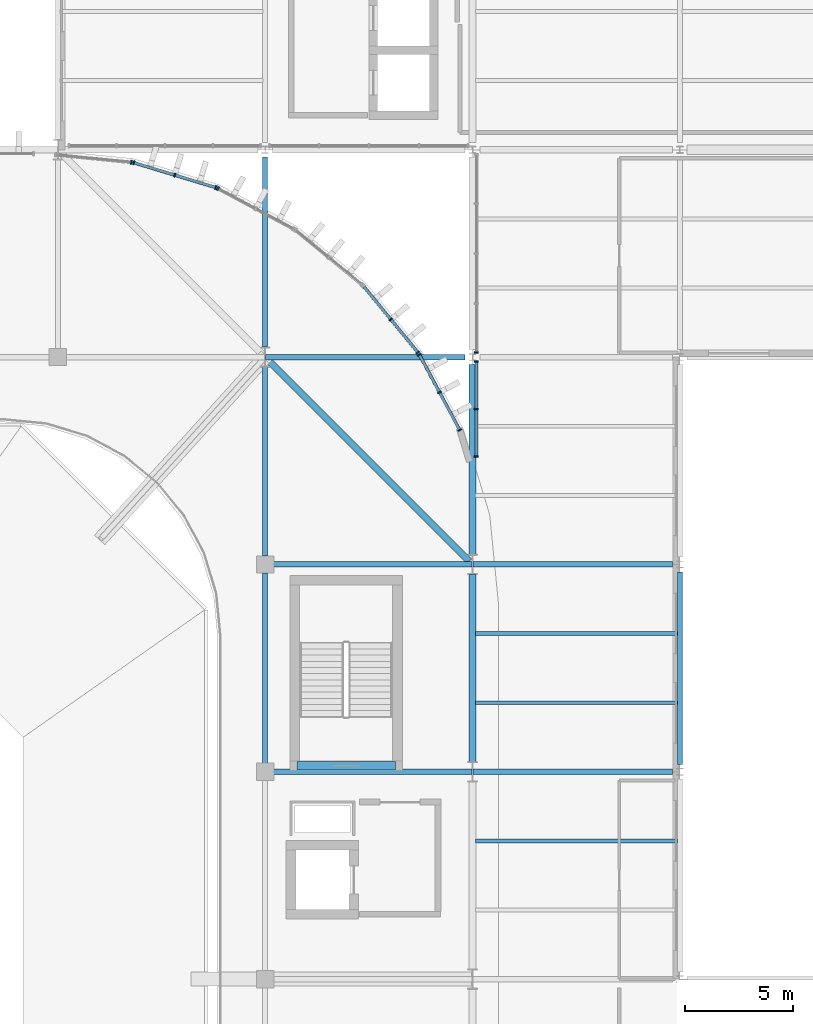
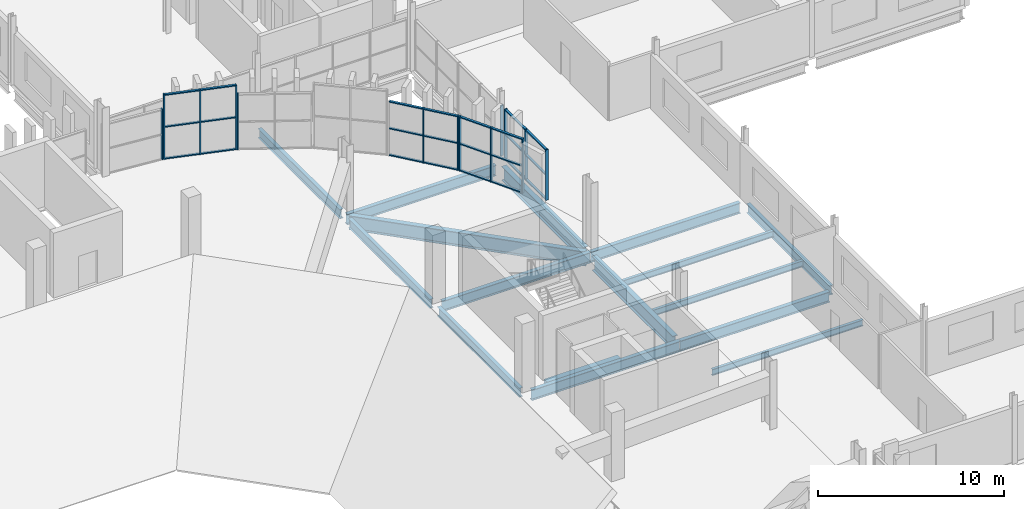
# One storey, part 30 of 69: 38 members, 16 beams, 7 elements without a shape of their own.
"""IFC4 building model written with IfcOpenShell, lengths in metres."""

from ifc_helpers import new_model, si_unit, direction, frame, origin, origin_2d, place, context, subcontext, project, spatial, rectangle, i_section, extrude, material, layer, layer_set, material_profile, profile_set, type_object, element, aggregate, save


model = new_model("IFC4")

# Units and contexts
model_context = context("Model", 3, precision=1e-05, world=origin(), true_north=direction((0.0, 1.0)))
body_context = subcontext(model_context, "Body", "Model", "MODEL_VIEW")
ifc_project = project(units=[si_unit("LENGTHUNIT", "METRE"), si_unit("AREAUNIT", "SQUARE_METRE"), si_unit("VOLUMEUNIT", "CUBIC_METRE"), si_unit("PLANEANGLEUNIT", "RADIAN"), si_unit("MASSUNIT", "GRAM", prefix="KILO")], contexts=[model_context])

# Site, building, storey
site_placement = place(None, origin())
site = spatial("IfcSite", under=ifc_project, at=site_placement, CompositionType="ELEMENT")
building_placement = place(site_placement, origin())
building = spatial("IfcBuilding", under=site, at=building_placement, Name="Caelomonte Colonnade Arena", CompositionType="ELEMENT")
storey_placement = place(building_placement, frame((0.0, 0.0, 18.60009765625)))
storey = spatial("IfcBuildingStorey", under=building, at=storey_placement, Name="L04", CompositionType="ELEMENT", Elevation=18.60009765625)

# Curtain wall, member
ifc_material_1 = material(Name="Bronze anodised aluminium and low-E glazing", Category="aluminium")
ifc_layer_1 = layer(ifc_material_1, 0.179931640625)
ifc_layer_set_1 = layer_set([ifc_layer_1], Name="Bronze anodised aluminium and low-E glazing")
curtain_wall_type_1 = type_object("IfcCurtainWallType", Name="ENV-CW-CW-L04-96-33", PredefinedType="USERDEFINED", material=ifc_layer_set_1)
curtain_wall_1_placement = place(storey_placement, origin())
curtain_wall_1 = element("IfcCurtainWall", 1, at=curtain_wall_1_placement, inside=storey, type_object=curtain_wall_type_1, Name="L04 unitized curtain wall CW-L04-1634-1104", ObjectType="UNITIZED CURTAIN WALL", PredefinedType="USERDEFINED")
ifc_material_2 = material(Name="Bronze anodised aluminium AA6063-T6", Category="aluminium")
ifc_material_profile_1 = material_profile(ifc_material_2, rectangle(XDim=0.070068359375, YDim=0.179931640625, at=origin_2d()), Name="CWM-70X180")
ifc_profile_set_1 = profile_set([ifc_material_profile_1], Name="Bronze anodised aluminium AA6063-T6")
member_type_1 = type_object("IfcMemberType", Name="ENV-CW-MULL1", PredefinedType="MULLION", material=ifc_profile_set_1)
member_1_placement = place(storey_placement, frame((163.3798828125, 105.808837890625, 0.0), z_axis=(0.0, 0.0, 1.0), x_axis=(0.0, -1.0, 0.0)))
member_1 = element("IfcMember", 2, at=member_1_placement, type_object=member_type_1, Name="CW-L04-96-33 mullion 5", PredefinedType="MULLION", context=body_context, shape_type="SweptSolid", body=[
    extrude(rectangle(XDim=0.070068359375, YDim=0.179931640625, at=origin_2d()), origin(), (0.0, 0.0, 1.0), 3.312744140625),
])
aggregate(curtain_wall_1, [member_1])

# Curtain wall, members
ifc_layer_2 = layer(ifc_material_1, 0.179931640625)
ifc_layer_set_2 = layer_set([ifc_layer_2], Name="Bronze anodised aluminium and low-E glazing")
curtain_wall_type_2 = type_object("IfcCurtainWallType", Name="ENV-CW-CW-L04-48-33", PredefinedType="USERDEFINED", material=ifc_layer_set_2)
curtain_wall_2_placement = place(storey_placement, origin())
curtain_wall_2 = element("IfcCurtainWall", 3, at=curtain_wall_2_placement, inside=storey, type_object=curtain_wall_type_2, Name="L04 unitized curtain wall CW-L04-1634-1032", ObjectType="UNITIZED CURTAIN WALL", PredefinedType="USERDEFINED")
member_2_placement = place(storey_placement, frame((163.3798828125, 105.39111328125, 0.0), z_axis=(0.0, 0.0, 1.0), x_axis=(0.0, -1.0, 0.0)))
member_2 = element("IfcMember", 4, at=member_2_placement, type_object=member_type_1, Name="CW-L04-48-33 mullion 1", PredefinedType="MULLION", context=body_context, shape_type="SweptSolid", body=[
    extrude(rectangle(XDim=0.070068359375, YDim=0.179931640625, at=origin_2d()), origin(), (0.0, 0.0, 1.0), 3.312744140625),
])
member_3_placement = place(storey_placement, frame((163.3798828125, 103.1953125, 0.0), z_axis=(0.0, 0.0, 1.0), x_axis=(0.0, -1.0, 0.0)))
member_3 = element("IfcMember", 5, at=member_3_placement, type_object=member_type_1, Name="CW-L04-48-33 mullion 2", PredefinedType="MULLION", context=body_context, shape_type="SweptSolid", body=[
    extrude(rectangle(XDim=0.070068359375, YDim=0.179931640625, at=origin_2d()), origin(), (0.0, 0.0, 1.0), 3.312744140625),
])
member_4_placement = place(storey_placement, frame((163.3798828125, 100.99951171875, 0.0), z_axis=(0.0, 0.0, 1.0), x_axis=(0.0, -1.0, 0.0)))
member_4 = element("IfcMember", 6, at=member_4_placement, type_object=member_type_1, Name="CW-L04-48-33 mullion 3", PredefinedType="MULLION", context=body_context, shape_type="SweptSolid", body=[
    extrude(rectangle(XDim=0.070068359375, YDim=0.179931640625, at=origin_2d()), origin(), (0.0, 0.0, 1.0), 3.312744140625),
])

ifc_layer_3 = layer(ifc_material_1, 0.179931640625)
ifc_layer_set_3 = layer_set([ifc_layer_3], Name="Bronze anodised aluminium and low-E glazing")
curtain_wall_type_3 = type_object("IfcCurtainWallType", Name="ENV-CW-CW-L04-44-36", PredefinedType="USERDEFINED", material=ifc_layer_set_3)
curtain_wall_3_placement = place(storey_placement, origin())
curtain_wall_3 = element("IfcCurtainWall", 7, at=curtain_wall_3_placement, inside=storey, type_object=curtain_wall_type_3, Name="L04 unitized curtain wall CW-L04-1617-1040", ObjectType="UNITIZED CURTAIN WALL", PredefinedType="USERDEFINED")
member_5_placement = place(storey_placement, frame((162.607421875, 102.2177734375, 0.0), z_axis=(0.0, 0.0, 1.0), x_axis=(-0.471394212466, 0.881922613642, 0.0)))
member_5 = element("IfcMember", 8, at=member_5_placement, type_object=member_type_1, Name="CW-L04-44-36 mullion 1", PredefinedType="MULLION", context=body_context, shape_type="SweptSolid", body=[
    extrude(rectangle(XDim=0.070068359375, YDim=0.179931640625, at=origin_2d()), origin(), (0.0, 0.0, 1.0), 3.561767578125),
])
member_6_placement = place(storey_placement, frame((161.67236328125, 103.966796875, 0.0), z_axis=(0.0, 0.0, 1.0), x_axis=(-0.471394212466, 0.881922613642, 0.0)))
member_6 = element("IfcMember", 9, at=member_6_placement, type_object=member_type_1, Name="CW-L04-44-36 mullion 2", PredefinedType="MULLION", context=body_context, shape_type="SweptSolid", body=[
    extrude(rectangle(XDim=0.070068359375, YDim=0.179931640625, at=origin_2d()), origin(), (0.0, 0.0, 1.0), 3.561767578125),
])
member_7_placement = place(storey_placement, frame((160.737548828125, 105.716064453125, 0.0), z_axis=(0.0, 0.0, 1.0), x_axis=(-0.471394212466, 0.881922613642, 0.0)))
member_7 = element("IfcMember", 10, at=member_7_placement, type_object=member_type_1, Name="CW-L04-44-36 mullion 3", PredefinedType="MULLION", context=body_context, shape_type="SweptSolid", body=[
    extrude(rectangle(XDim=0.070068359375, YDim=0.179931640625, at=origin_2d()), origin(), (0.0, 0.0, 1.0), 3.561767578125),
])

curtain_wall_4_placement = place(storey_placement, origin())
curtain_wall_4 = element("IfcCurtainWall", 11, at=curtain_wall_4_placement, inside=storey, type_object=curtain_wall_type_3, Name="L04 unitized curtain wall CW-L04-1594-1073", ObjectType="UNITIZED CURTAIN WALL", PredefinedType="USERDEFINED")
member_8_placement = place(storey_placement, frame((160.67431640625, 105.810791015625, 0.0), z_axis=(0.0, 0.0, 1.0), x_axis=(-0.634416071163, 0.772991751994, 0.0)))
member_8 = element("IfcMember", 12, at=member_8_placement, type_object=member_type_1, Name="CW-L04-44-36 mullion 1", PredefinedType="MULLION", context=body_context, shape_type="SweptSolid", body=[
    extrude(rectangle(XDim=0.070068359375, YDim=0.179931640625, at=origin_2d()), origin(), (0.0, 0.0, 1.0), 3.561767578125),
])
member_9_placement = place(storey_placement, frame((159.416015625, 107.343994140625, 0.0), z_axis=(0.0, 0.0, 1.0), x_axis=(-0.634416071163, 0.772991751994, 0.0)))
member_9 = element("IfcMember", 13, at=member_9_placement, type_object=member_type_1, Name="CW-L04-44-36 mullion 2", PredefinedType="MULLION", context=body_context, shape_type="SweptSolid", body=[
    extrude(rectangle(XDim=0.070068359375, YDim=0.179931640625, at=origin_2d()), origin(), (0.0, 0.0, 1.0), 3.561767578125),
])

# Curtain wall, member
curtain_wall_5_placement = place(storey_placement, origin())
curtain_wall_5 = element("IfcCurtainWall", 14, at=curtain_wall_5_placement, inside=storey, type_object=curtain_wall_type_3, Name="L04 unitized curtain wall CW-L04-1532-1125", ObjectType="UNITIZED CURTAIN WALL", PredefinedType="USERDEFINED")
member_10_placement = place(storey_placement, frame((151.417724609375, 113.407470703125, 0.0), z_axis=(0.0, 0.0, 1.0), x_axis=(-0.881922613642, 0.471394212466, 0.0)))
member_10 = element("IfcMember", 15, at=member_10_placement, type_object=member_type_1, Name="CW-L04-44-36 mullion 3", PredefinedType="MULLION", context=body_context, shape_type="SweptSolid", body=[
    extrude(rectangle(XDim=0.070068359375, YDim=0.179931640625, at=origin_2d()), origin(), (0.0, 0.0, 1.0), 3.637939453125),
])
aggregate(curtain_wall_5, [member_10])

# Curtain wall, members
ifc_layer_4 = layer(ifc_material_1, 0.179931640625)
ifc_layer_set_4 = layer_set([ifc_layer_4], Name="Bronze anodised aluminium and low-E glazing")
curtain_wall_type_4 = type_object("IfcCurtainWallType", Name="ENV-CW-CW-L04-44-42", PredefinedType="USERDEFINED", material=ifc_layer_set_4)
curtain_wall_6_placement = place(storey_placement, origin())
curtain_wall_6 = element("IfcCurtainWall", 16, at=curtain_wall_6_placement, inside=storey, type_object=curtain_wall_type_4, Name="L04 unitized curtain wall CW-L04-1494-1140", ObjectType="UNITIZED CURTAIN WALL", PredefinedType="USERDEFINED")
member_11_placement = place(storey_placement, frame((151.3125, 113.451171875, 0.0), z_axis=(0.0, 0.0, 1.0), x_axis=(-0.956949160999, 0.290255582655, 0.0)))
member_11 = element("IfcMember", 17, at=member_11_placement, type_object=member_type_1, Name="CW-L04-44-42 mullion 1", PredefinedType="MULLION", context=body_context, shape_type="SweptSolid", body=[
    extrude(rectangle(XDim=0.070068359375, YDim=0.179931640625, at=origin_2d()), origin(), (0.0, 0.0, 1.0), 4.239990234375),
])
member_12_placement = place(storey_placement, frame((149.414306640625, 114.02685546875, 0.0), z_axis=(0.0, 0.0, 1.0), x_axis=(-0.956949160999, 0.290255582655, 0.0)))
member_12 = element("IfcMember", 18, at=member_12_placement, type_object=member_type_1, Name="CW-L04-44-42 mullion 2", PredefinedType="MULLION", context=body_context, shape_type="SweptSolid", body=[
    extrude(rectangle(XDim=0.070068359375, YDim=0.179931640625, at=origin_2d()), origin(), (0.0, 0.0, 1.0), 4.239990234375),
])
member_13_placement = place(storey_placement, frame((147.516357421875, 114.6025390625, 0.0), z_axis=(0.0, 0.0, 1.0), x_axis=(-0.956949160999, 0.290255582655, 0.0)))
member_13 = element("IfcMember", 19, at=member_13_placement, type_object=member_type_1, Name="CW-L04-44-42 mullion 3", PredefinedType="MULLION", context=body_context, shape_type="SweptSolid", body=[
    extrude(rectangle(XDim=0.070068359375, YDim=0.179931640625, at=origin_2d()), origin(), (0.0, 0.0, 1.0), 4.239990234375),
])

# Curtain wall, member
ifc_layer_5 = layer(ifc_material_1, 0.179931640625)
ifc_layer_set_5 = layer_set([ifc_layer_5], Name="Bronze anodised aluminium and low-E glazing")
curtain_wall_type_5 = type_object("IfcCurtainWallType", Name="ENV-CW-CW-L04-42-33", PredefinedType="USERDEFINED", material=ifc_layer_set_5)
curtain_wall_7_placement = place(storey_placement, origin())
curtain_wall_7 = element("IfcCurtainWall", 20, at=curtain_wall_7_placement, inside=storey, type_object=curtain_wall_type_5, Name="L04 unitized curtain wall CW-L04-1455-1148", ObjectType="UNITIZED CURTAIN WALL", PredefinedType="USERDEFINED")
member_14_placement = place(storey_placement, frame((147.404541015625, 114.624755859375, 0.0), z_axis=(0.0, 0.0, 1.0), x_axis=(-0.995184334909, 0.098021117887, 0.0)))
member_14 = element("IfcMember", 21, at=member_14_placement, type_object=member_type_1, Name="CW-L04-42-33 mullion 1", PredefinedType="MULLION", context=body_context, shape_type="SweptSolid", body=[
    extrude(rectangle(XDim=0.070068359375, YDim=0.179931640625, at=origin_2d()), origin(), (0.0, 0.0, 1.0), 3.312744140625),
])
aggregate(curtain_wall_7, [member_14])

# Member
ifc_material_profile_2 = material_profile(ifc_material_2, rectangle(XDim=0.070068359375, YDim=0.139892578125, at=origin_2d()), Name="CWT-70X140")
ifc_profile_set_2 = profile_set([ifc_material_profile_2], Name="Bronze anodised aluminium AA6063-T6")
member_type_2 = type_object("IfcMemberType", Name="ENV-CW-TRAN1", PredefinedType="USERDEFINED", material=ifc_profile_set_2)
member_15_placement = place(storey_placement, frame((163.3798828125, 105.356201171875, 0.034912109375), z_axis=(0.0, -1.0, 0.0), x_axis=(0.0, 0.0, 1.0)))
member_15 = element("IfcMember", 22, at=member_15_placement, type_object=member_type_2, Name="CW-L04-48-33 transom 1.1", ObjectType="TRANSOM", PredefinedType="USERDEFINED", context=body_context, shape_type="SweptSolid", body=[
    extrude(rectangle(XDim=0.070068359375, YDim=0.139892578125, at=origin_2d()), origin(), (0.0, 0.0, 1.0), 2.1259765625),
])

member_16_placement = place(storey_placement, frame((163.3798828125, 105.356201171875, 1.65625), z_axis=(0.0, -1.0, 0.0), x_axis=(0.0, 0.0, 1.0)))
member_16 = element("IfcMember", 23, at=member_16_placement, type_object=member_type_2, Name="CW-L04-48-33 transom 1.2", ObjectType="TRANSOM", PredefinedType="USERDEFINED", context=body_context, shape_type="SweptSolid", body=[
    extrude(rectangle(XDim=0.070068359375, YDim=0.139892578125, at=origin_2d()), origin(), (0.0, 0.0, 1.0), 2.1259765625),
])

member_17_placement = place(storey_placement, frame((163.3798828125, 105.356201171875, 3.277587890625), z_axis=(0.0, -1.0, 0.0), x_axis=(0.0, 0.0, 1.0)))
member_17 = element("IfcMember", 24, at=member_17_placement, type_object=member_type_2, Name="CW-L04-48-33 transom 1.3", ObjectType="TRANSOM", PredefinedType="USERDEFINED", context=body_context, shape_type="SweptSolid", body=[
    extrude(rectangle(XDim=0.070068359375, YDim=0.139892578125, at=origin_2d()), origin(), (0.0, 0.0, 1.0), 2.1259765625),
])

member_18_placement = place(storey_placement, frame((163.3798828125, 103.160400390625, 0.034912109375), z_axis=(0.0, -1.0, 0.0), x_axis=(0.0, 0.0, 1.0)))
member_18 = element("IfcMember", 25, at=member_18_placement, type_object=member_type_2, Name="CW-L04-48-33 transom 2.1", ObjectType="TRANSOM", PredefinedType="USERDEFINED", context=body_context, shape_type="SweptSolid", body=[
    extrude(rectangle(XDim=0.070068359375, YDim=0.139892578125, at=origin_2d()), origin(), (0.0, 0.0, 1.0), 2.1259765625),
])

member_19_placement = place(storey_placement, frame((163.3798828125, 103.160400390625, 1.65625), z_axis=(0.0, -1.0, 0.0), x_axis=(0.0, 0.0, 1.0)))
member_19 = element("IfcMember", 26, at=member_19_placement, type_object=member_type_2, Name="CW-L04-48-33 transom 2.2", ObjectType="TRANSOM", PredefinedType="USERDEFINED", context=body_context, shape_type="SweptSolid", body=[
    extrude(rectangle(XDim=0.070068359375, YDim=0.139892578125, at=origin_2d()), origin(), (0.0, 0.0, 1.0), 2.1259765625),
])

member_20_placement = place(storey_placement, frame((163.3798828125, 103.160400390625, 3.277587890625), z_axis=(0.0, -1.0, 0.0), x_axis=(0.0, 0.0, 1.0)))
member_20 = element("IfcMember", 27, at=member_20_placement, type_object=member_type_2, Name="CW-L04-48-33 transom 2.3", ObjectType="TRANSOM", PredefinedType="USERDEFINED", context=body_context, shape_type="SweptSolid", body=[
    extrude(rectangle(XDim=0.070068359375, YDim=0.139892578125, at=origin_2d()), origin(), (0.0, 0.0, 1.0), 2.1259765625),
])

aggregate(curtain_wall_2, [member_2, member_3, member_4, member_15, member_16, member_17, member_18, member_19, member_20])

member_21_placement = place(storey_placement, frame((162.5908203125, 102.24853515625, 0.034912109375), z_axis=(-0.471343048304, 0.88194995936, 0.0), x_axis=(0.0, 0.0, 1.0)))
member_21 = element("IfcMember", 28, at=member_21_placement, type_object=member_type_2, Name="CW-L04-44-36 transom 1.1", ObjectType="TRANSOM", PredefinedType="USERDEFINED", context=body_context, shape_type="SweptSolid", body=[
    extrude(rectangle(XDim=0.070068359375, YDim=0.139892578125, at=origin_2d()), origin(), (0.0, 0.0, 1.0), 1.913330078125),
])

member_22_placement = place(storey_placement, frame((162.5908203125, 102.24853515625, 1.78076171875), z_axis=(-0.471343048304, 0.88194995936, 0.0), x_axis=(0.0, 0.0, 1.0)))
member_22 = element("IfcMember", 29, at=member_22_placement, type_object=member_type_2, Name="CW-L04-44-36 transom 1.2", ObjectType="TRANSOM", PredefinedType="USERDEFINED", context=body_context, shape_type="SweptSolid", body=[
    extrude(rectangle(XDim=0.070068359375, YDim=0.139892578125, at=origin_2d()), origin(), (0.0, 0.0, 1.0), 1.913330078125),
])

member_23_placement = place(storey_placement, frame((162.5908203125, 102.24853515625, 3.526611328125), z_axis=(-0.471343048304, 0.88194995936, 0.0), x_axis=(0.0, 0.0, 1.0)))
member_23 = element("IfcMember", 30, at=member_23_placement, type_object=member_type_2, Name="CW-L04-44-36 transom 1.3", ObjectType="TRANSOM", PredefinedType="USERDEFINED", context=body_context, shape_type="SweptSolid", body=[
    extrude(rectangle(XDim=0.070068359375, YDim=0.139892578125, at=origin_2d()), origin(), (0.0, 0.0, 1.0), 1.913330078125),
])

member_24_placement = place(storey_placement, frame((161.656005859375, 103.997802734375, 0.034912109375), z_axis=(-0.47149534087, 0.881868552301, 0.0), x_axis=(0.0, 0.0, 1.0)))
member_24 = element("IfcMember", 31, at=member_24_placement, type_object=member_type_2, Name="CW-L04-44-36 transom 2.1", ObjectType="TRANSOM", PredefinedType="USERDEFINED", context=body_context, shape_type="SweptSolid", body=[
    extrude(rectangle(XDim=0.070068359375, YDim=0.139892578125, at=origin_2d()), origin(), (0.0, 0.0, 1.0), 1.913330078125),
])

member_25_placement = place(storey_placement, frame((161.656005859375, 103.997802734375, 1.78076171875), z_axis=(-0.47149534087, 0.881868552301, 0.0), x_axis=(0.0, 0.0, 1.0)))
member_25 = element("IfcMember", 32, at=member_25_placement, type_object=member_type_2, Name="CW-L04-44-36 transom 2.2", ObjectType="TRANSOM", PredefinedType="USERDEFINED", context=body_context, shape_type="SweptSolid", body=[
    extrude(rectangle(XDim=0.070068359375, YDim=0.139892578125, at=origin_2d()), origin(), (0.0, 0.0, 1.0), 1.913330078125),
])

member_26_placement = place(storey_placement, frame((161.656005859375, 103.997802734375, 3.526611328125), z_axis=(-0.47149534087, 0.881868552301, 0.0), x_axis=(0.0, 0.0, 1.0)))
member_26 = element("IfcMember", 33, at=member_26_placement, type_object=member_type_2, Name="CW-L04-44-36 transom 2.3", ObjectType="TRANSOM", PredefinedType="USERDEFINED", context=body_context, shape_type="SweptSolid", body=[
    extrude(rectangle(XDim=0.070068359375, YDim=0.139892578125, at=origin_2d()), origin(), (0.0, 0.0, 1.0), 1.913330078125),
])

aggregate(curtain_wall_3, [member_5, member_6, member_7, member_21, member_22, member_23, member_24, member_25, member_26])

member_27_placement = place(storey_placement, frame((160.652099609375, 105.837890625, 0.034912109375), z_axis=(-0.634494516049, 0.772927363407, 0.0), x_axis=(0.0, 0.0, 1.0)))
member_27 = element("IfcMember", 34, at=member_27_placement, type_object=member_type_2, Name="CW-L04-44-36 transom 1.1", ObjectType="TRANSOM", PredefinedType="USERDEFINED", context=body_context, shape_type="SweptSolid", body=[
    extrude(rectangle(XDim=0.070068359375, YDim=0.139892578125, at=origin_2d()), origin(), (0.0, 0.0, 1.0), 1.91357421875),
])

member_28_placement = place(storey_placement, frame((160.652099609375, 105.837890625, 1.78076171875), z_axis=(-0.634494516049, 0.772927363407, 0.0), x_axis=(0.0, 0.0, 1.0)))
member_28 = element("IfcMember", 35, at=member_28_placement, type_object=member_type_2, Name="CW-L04-44-36 transom 1.2", ObjectType="TRANSOM", PredefinedType="USERDEFINED", context=body_context, shape_type="SweptSolid", body=[
    extrude(rectangle(XDim=0.070068359375, YDim=0.139892578125, at=origin_2d()), origin(), (0.0, 0.0, 1.0), 1.91357421875),
])

member_29_placement = place(storey_placement, frame((160.652099609375, 105.837890625, 3.526611328125), z_axis=(-0.634494516049, 0.772927363407, 0.0), x_axis=(0.0, 0.0, 1.0)))
member_29 = element("IfcMember", 36, at=member_29_placement, type_object=member_type_2, Name="CW-L04-44-36 transom 1.3", ObjectType="TRANSOM", PredefinedType="USERDEFINED", context=body_context, shape_type="SweptSolid", body=[
    extrude(rectangle(XDim=0.070068359375, YDim=0.139892578125, at=origin_2d()), origin(), (0.0, 0.0, 1.0), 1.91357421875),
])

member_30_placement = place(storey_placement, frame((159.393798828125, 107.370849609375, 0.034912109375), z_axis=(-0.634431948726, 0.772978720558, 0.0), x_axis=(0.0, 0.0, 1.0)))
member_30 = element("IfcMember", 37, at=member_30_placement, type_object=member_type_2, Name="CW-L04-44-36 transom 2.1", ObjectType="TRANSOM", PredefinedType="USERDEFINED", context=body_context, shape_type="SweptSolid", body=[
    extrude(rectangle(XDim=0.070068359375, YDim=0.139892578125, at=origin_2d()), origin(), (0.0, 0.0, 1.0), 1.913818359375),
])

member_31_placement = place(storey_placement, frame((159.393798828125, 107.370849609375, 1.78076171875), z_axis=(-0.634431948726, 0.772978720558, 0.0), x_axis=(0.0, 0.0, 1.0)))
member_31 = element("IfcMember", 38, at=member_31_placement, type_object=member_type_2, Name="CW-L04-44-36 transom 2.2", ObjectType="TRANSOM", PredefinedType="USERDEFINED", context=body_context, shape_type="SweptSolid", body=[
    extrude(rectangle(XDim=0.070068359375, YDim=0.139892578125, at=origin_2d()), origin(), (0.0, 0.0, 1.0), 1.913818359375),
])

member_32_placement = place(storey_placement, frame((159.393798828125, 107.370849609375, 3.526611328125), z_axis=(-0.634431948726, 0.772978720558, 0.0), x_axis=(0.0, 0.0, 1.0)))
member_32 = element("IfcMember", 39, at=member_32_placement, type_object=member_type_2, Name="CW-L04-44-36 transom 2.3", ObjectType="TRANSOM", PredefinedType="USERDEFINED", context=body_context, shape_type="SweptSolid", body=[
    extrude(rectangle(XDim=0.070068359375, YDim=0.139892578125, at=origin_2d()), origin(), (0.0, 0.0, 1.0), 1.913818359375),
])

aggregate(curtain_wall_4, [member_8, member_9, member_27, member_28, member_29, member_30, member_31, member_32])

member_33_placement = place(storey_placement, frame((151.27880859375, 113.461181640625, 0.034912109375), z_axis=(-0.956933131783, 0.290308424431, 0.0), x_axis=(0.0, 0.0, 1.0)))
member_33 = element("IfcMember", 40, at=member_33_placement, type_object=member_type_2, Name="CW-L04-44-42 transom 1.1", ObjectType="TRANSOM", PredefinedType="USERDEFINED", context=body_context, shape_type="SweptSolid", body=[
    extrude(rectangle(XDim=0.070068359375, YDim=0.139892578125, at=origin_2d()), origin(), (0.0, 0.0, 1.0), 1.9130859375),
])

member_34_placement = place(storey_placement, frame((151.27880859375, 113.461181640625, 2.119873046875), z_axis=(-0.956933131783, 0.290308424431, 0.0), x_axis=(0.0, 0.0, 1.0)))
member_34 = element("IfcMember", 41, at=member_34_placement, type_object=member_type_2, Name="CW-L04-44-42 transom 1.2", ObjectType="TRANSOM", PredefinedType="USERDEFINED", context=body_context, shape_type="SweptSolid", body=[
    extrude(rectangle(XDim=0.070068359375, YDim=0.139892578125, at=origin_2d()), origin(), (0.0, 0.0, 1.0), 1.9130859375),
])

member_35_placement = place(storey_placement, frame((151.27880859375, 113.461181640625, 4.204833984375), z_axis=(-0.956933131783, 0.290308424431, 0.0), x_axis=(0.0, 0.0, 1.0)))
member_35 = element("IfcMember", 42, at=member_35_placement, type_object=member_type_2, Name="CW-L04-44-42 transom 1.3", ObjectType="TRANSOM", PredefinedType="USERDEFINED", context=body_context, shape_type="SweptSolid", body=[
    extrude(rectangle(XDim=0.070068359375, YDim=0.139892578125, at=origin_2d()), origin(), (0.0, 0.0, 1.0), 1.9130859375),
])

member_36_placement = place(storey_placement, frame((149.380859375, 114.036865234375, 0.034912109375), z_axis=(-0.956943884494, 0.290272978297, 0.0), x_axis=(0.0, 0.0, 1.0)))
member_36 = element("IfcMember", 43, at=member_36_placement, type_object=member_type_2, Name="CW-L04-44-42 transom 2.1", ObjectType="TRANSOM", PredefinedType="USERDEFINED", context=body_context, shape_type="SweptSolid", body=[
    extrude(rectangle(XDim=0.070068359375, YDim=0.139892578125, at=origin_2d()), origin(), (0.0, 0.0, 1.0), 1.913330078125),
])

member_37_placement = place(storey_placement, frame((149.380859375, 114.036865234375, 2.119873046875), z_axis=(-0.956943884494, 0.290272978297, 0.0), x_axis=(0.0, 0.0, 1.0)))
member_37 = element("IfcMember", 44, at=member_37_placement, type_object=member_type_2, Name="CW-L04-44-42 transom 2.2", ObjectType="TRANSOM", PredefinedType="USERDEFINED", context=body_context, shape_type="SweptSolid", body=[
    extrude(rectangle(XDim=0.070068359375, YDim=0.139892578125, at=origin_2d()), origin(), (0.0, 0.0, 1.0), 1.913330078125),
])

member_38_placement = place(storey_placement, frame((149.380859375, 114.036865234375, 4.204833984375), z_axis=(-0.956943884494, 0.290272978297, 0.0), x_axis=(0.0, 0.0, 1.0)))
member_38 = element("IfcMember", 45, at=member_38_placement, type_object=member_type_2, Name="CW-L04-44-42 transom 2.3", ObjectType="TRANSOM", PredefinedType="USERDEFINED", context=body_context, shape_type="SweptSolid", body=[
    extrude(rectangle(XDim=0.070068359375, YDim=0.139892578125, at=origin_2d()), origin(), (0.0, 0.0, 1.0), 1.913330078125),
])

aggregate(curtain_wall_6, [member_11, member_12, member_13, member_33, member_34, member_35, member_36, member_37, member_38])

# Beams
ifc_material_3 = material(Name="Wide-flange steel ASTM A992 Grade 50", Category="steel")
ifc_material_profile_3 = material_profile(ifc_material_3, i_section(OverallWidth=0.307861328125, OverallDepth=0.927001953125, WebThickness=0.019287109375, FlangeThickness=0.031982421875, FilletRadius=0.020263671875, at=origin_2d()), Name="W36X194")
ifc_profile_set_3 = profile_set([ifc_material_profile_3], Name="Wide-flange steel ASTM A992 Grade 50")
beam_type_1 = type_object("IfcBeamType", Name="STR-BM-EAVES2", PredefinedType="SPANDREL", material=ifc_profile_set_3)
beam_1_placement = place(storey_placement, frame((163.199951171875, 86.86572265625, -0.7236328125), z_axis=(0.0, 1.0, 0.0), x_axis=(-1.0, 0.0, 0.0)))
element("IfcBeam", 46, at=beam_1_placement, inside=storey, type_object=beam_type_1, Name="L04 girder BMY-L04-1632-0864", PredefinedType="SPANDREL", context=body_context, shape_type="SweptSolid", body=[
    extrude(i_section(OverallWidth=0.307861328125, OverallDepth=0.927001953125, WebThickness=0.019287109375, FlangeThickness=0.031982421875, FilletRadius=0.020263671875, at=origin_2d()), origin(), (0.0, 0.0, 1.0), 8.66845703125),
])
beam_2_placement = place(storey_placement, frame((163.199951171875, 96.4658203125, -0.7236328125), z_axis=(0.0, 1.0, 0.0), x_axis=(-1.0, 0.0, 0.0)))
element("IfcBeam", 47, at=beam_2_placement, inside=storey, type_object=beam_type_1, Name="L04 girder BMY-L04-1632-0960", PredefinedType="SPANDREL", context=body_context, shape_type="SweptSolid", body=[
    extrude(i_section(OverallWidth=0.307861328125, OverallDepth=0.927001953125, WebThickness=0.019287109375, FlangeThickness=0.031982421875, FilletRadius=0.020263671875, at=origin_2d()), origin(), (0.0, 0.0, 1.0), 8.792236328125),
])
beam_3_placement = place(storey_placement, frame((163.055908203125, 96.14404296875, -0.7236328125), z_axis=(-0.707106781187, 0.707106781187, 0.0), x_axis=(-0.707106781187, -0.707106781187, 0.0)))
element("IfcBeam", 48, at=beam_3_placement, inside=storey, type_object=beam_type_1, Name="L04 drum corner ring girder 5", PredefinedType="SPANDREL", context=body_context, shape_type="SweptSolid", body=[
    extrude(i_section(OverallWidth=0.307861328125, OverallDepth=0.927001953125, WebThickness=0.019287109375, FlangeThickness=0.031982421875, FilletRadius=0.020263671875, at=origin_2d()), origin(), (0.0, 0.0, 1.0), 13.169189453125),
])
ifc_material_profile_4 = material_profile(ifc_material_3, i_section(OverallWidth=0.227783203125, OverallDepth=0.60205078125, WebThickness=0.010498046875, FlangeThickness=0.014892578125, FilletRadius=0.0126953125, at=origin_2d()), Name="W24X68")
ifc_profile_set_4 = profile_set([ifc_material_profile_4], Name="Wide-flange steel ASTM A992 Grade 50")
beam_type_2 = type_object("IfcBeamType", Name="STR-BM-GIRD24B", PredefinedType="SPANDREL", material=ifc_profile_set_4)
beam_4_placement = place(storey_placement, frame((153.60009765625, 86.7919921875, -0.56103515625), z_axis=(0.0, 1.0, 0.0), x_axis=(-1.0, 0.0, 0.0)))
element("IfcBeam", 49, at=beam_4_placement, inside=storey, type_object=beam_type_2, Name="L04 girder BMY-L04-1536-0864", PredefinedType="SPANDREL", context=body_context, shape_type="SweptSolid", body=[
    extrude(i_section(OverallWidth=0.227783203125, OverallDepth=0.60205078125, WebThickness=0.010498046875, FlangeThickness=0.014892578125, FilletRadius=0.0126953125, at=origin_2d()), origin(), (0.0, 0.0, 1.0), 8.81591796875),
])
beam_5_placement = place(storey_placement, frame((153.60009765625, 96.39208984375, -0.56103515625), z_axis=(0.0, 1.0, 0.0), x_axis=(-1.0, 0.0, 0.0)))
element("IfcBeam", 50, at=beam_5_placement, inside=storey, type_object=beam_type_2, Name="L04 girder BMY-L04-1536-0960", PredefinedType="SPANDREL", context=body_context, shape_type="SweptSolid", body=[
    extrude(i_section(OverallWidth=0.227783203125, OverallDepth=0.60205078125, WebThickness=0.010498046875, FlangeThickness=0.014892578125, FilletRadius=0.0126953125, at=origin_2d()), origin(), (0.0, 0.0, 1.0), 8.7421875),
])
beam_6_placement = place(storey_placement, frame((153.60009765625, 106.065673828125, -0.56103515625), z_axis=(0.0, 1.0, 0.0), x_axis=(-1.0, 0.0, 0.0)))
element("IfcBeam", 51, at=beam_6_placement, inside=storey, type_object=beam_type_2, Name="L04 girder BMY-L04-1536-1056", PredefinedType="SPANDREL", context=body_context, shape_type="SweptSolid", body=[
    extrude(i_section(OverallWidth=0.227783203125, OverallDepth=0.60205078125, WebThickness=0.010498046875, FlangeThickness=0.014892578125, FilletRadius=0.0126953125, at=origin_2d()), origin(), (0.0, 0.0, 1.0), 8.792236328125),
])
beam_7_placement = place(storey_placement, frame((172.800048828125, 86.741943359375, -0.56103515625), z_axis=(0.0, 1.0, 0.0), x_axis=(-1.0, 0.0, 0.0)))
element("IfcBeam", 52, at=beam_7_placement, inside=storey, type_object=beam_type_2, Name="L04 girder BMY-L04-1728-0864", PredefinedType="SPANDREL", context=body_context, shape_type="SweptSolid", body=[
    extrude(i_section(OverallWidth=0.227783203125, OverallDepth=0.60205078125, WebThickness=0.010498046875, FlangeThickness=0.014892578125, FilletRadius=0.0126953125, at=origin_2d()), origin(), (0.0, 0.0, 1.0), 8.916015625),
])
ifc_material_profile_5 = material_profile(ifc_material_3, i_section(OverallWidth=0.253662109375, OverallDepth=0.683349609375, WebThickness=0.012451171875, FlangeThickness=0.018798828125, FilletRadius=0.01513671875, at=origin_2d()), Name="W27X94")
ifc_profile_set_5 = profile_set([ifc_material_profile_5], Name="Wide-flange steel ASTM A992 Grade 50")
beam_type_3 = type_object("IfcBeamType", Name="STR-BM-GIRD27", PredefinedType="BEAM", material=ifc_profile_set_5)
beam_8_placement = place(storey_placement, frame((153.991943359375, 86.39990234375, -0.601806640625), z_axis=(1.0, 0.0, 0.0), x_axis=(0.0, 1.0, 0.0)))
element("IfcBeam", 53, at=beam_8_placement, inside=storey, type_object=beam_type_3, Name="L04 girder BMX-L04-1536-0864", PredefinedType="BEAM", context=body_context, shape_type="SweptSolid", body=[
    extrude(i_section(OverallWidth=0.253662109375, OverallDepth=0.683349609375, WebThickness=0.012451171875, FlangeThickness=0.018798828125, FilletRadius=0.01513671875, at=origin_2d()), origin(), (0.0, 0.0, 1.0), 9.196044921875),
])
beam_9_placement = place(storey_placement, frame((163.2119140625, 86.39990234375, -0.601806640625), z_axis=(1.0, 0.0, 0.0), x_axis=(0.0, 1.0, 0.0)))
element("IfcBeam", 54, at=beam_9_placement, inside=storey, type_object=beam_type_3, Name="L04 girder BMX-L04-1632-0864", PredefinedType="BEAM", context=body_context, shape_type="SweptSolid", body=[
    extrude(i_section(OverallWidth=0.253662109375, OverallDepth=0.683349609375, WebThickness=0.012451171875, FlangeThickness=0.018798828125, FilletRadius=0.01513671875, at=origin_2d()), origin(), (0.0, 0.0, 1.0), 9.24609375),
])
beam_10_placement = place(storey_placement, frame((153.991943359375, 96.0, -0.601806640625), z_axis=(1.0, 0.0, 0.0), x_axis=(0.0, 1.0, 0.0)))
element("IfcBeam", 55, at=beam_10_placement, inside=storey, type_object=beam_type_3, Name="L04 girder BMX-L04-1536-0960", PredefinedType="BEAM", context=body_context, shape_type="SweptSolid", body=[
    extrude(i_section(OverallWidth=0.253662109375, OverallDepth=0.683349609375, WebThickness=0.012451171875, FlangeThickness=0.018798828125, FilletRadius=0.01513671875, at=origin_2d()), origin(), (0.0, 0.0, 1.0), 9.196044921875),
])
beam_11_placement = place(storey_placement, frame((163.2119140625, 96.0, -0.601806640625), z_axis=(1.0, 0.0, 0.0), x_axis=(0.0, 1.0, 0.0)))
element("IfcBeam", 56, at=beam_11_placement, inside=storey, type_object=beam_type_3, Name="L04 girder BMX-L04-1632-0960", PredefinedType="BEAM", context=body_context, shape_type="SweptSolid", body=[
    extrude(i_section(OverallWidth=0.253662109375, OverallDepth=0.683349609375, WebThickness=0.012451171875, FlangeThickness=0.018798828125, FilletRadius=0.01513671875, at=origin_2d()), origin(), (0.0, 0.0, 1.0), 9.24609375),
])
beam_12_placement = place(storey_placement, frame((153.612060546875, 105.60009765625, -0.601806640625), z_axis=(1.0, 0.0, 0.0), x_axis=(0.0, 1.0, 0.0)))
element("IfcBeam", 57, at=beam_12_placement, inside=storey, type_object=beam_type_3, Name="L04 girder BMX-L04-1536-1056", PredefinedType="BEAM", context=body_context, shape_type="SweptSolid", body=[
    extrude(i_section(OverallWidth=0.253662109375, OverallDepth=0.683349609375, WebThickness=0.012451171875, FlangeThickness=0.018798828125, FilletRadius=0.01513671875, at=origin_2d()), origin(), (0.0, 0.0, 1.0), 9.245849609375),
])
ifc_material_profile_6 = material_profile(ifc_material_3, i_section(OverallWidth=0.177734375, OverallDepth=0.406494140625, WebThickness=0.0078125, FlangeThickness=0.0126953125, FilletRadius=0.01025390625, at=origin_2d()), Name="W16X40")
ifc_profile_set_6 = profile_set([ifc_material_profile_6], Name="Wide-flange steel ASTM A992 Grade 50")
beam_type_4 = type_object("IfcBeamType", Name="STR-BM-JOIST16", PredefinedType="JOIST", material=ifc_profile_set_6)
for number, where, z_axis, x_axis, name in (
    (58, (163.348876953125, 83.199951171875, -0.46337890625), (1.0, 0.0, 0.0), (0.0, 1.0, 0.0), "L04 secondary joist 2"),
    (59, (163.348876953125, 89.60009765625, -0.46337890625), (1.0, 0.0, 0.0), (0.0, 1.0, 0.0), "L04 secondary joist 1"),
    (60, (163.348876953125, 92.800048828125, -0.46337890625), (1.0, 0.0, 0.0), (0.0, 1.0, 0.0), "L04 secondary joist 2"),
):
    element("IfcBeam", number, at=place(storey_placement, frame(where, z_axis=z_axis, x_axis=x_axis)), inside=storey, type_object=beam_type_4, Name=name, PredefinedType="JOIST", context=body_context, shape_type="SweptSolid", body=[
        extrude(i_section(OverallWidth=0.177734375, OverallDepth=0.406494140625, WebThickness=0.0078125, FlangeThickness=0.0126953125, FilletRadius=0.01025390625, at=origin_2d()), origin(), (0.0, 0.0, 1.0), 9.34228515625),
    ])
ifc_material_4 = material(Name="Concrete C40/50", Category="concrete")
ifc_material_profile_7 = material_profile(ifc_material_4, rectangle(XDim=0.39990234375, YDim=0.64990234375, at=origin_2d()), Name="RC400X650")
ifc_profile_set_7 = profile_set([ifc_material_profile_7], Name="Concrete C40/50")
beam_type_5 = type_object("IfcBeamType", Name="STR-BM-LINT40", PredefinedType="LINTEL", material=ifc_profile_set_7)
beam_13_placement = place(storey_placement, frame((155.074951171875, 86.675048828125, -0.585205078125), z_axis=(1.0, 0.0, 0.0), x_axis=(0.0, 1.0, 0.0)))
element("IfcBeam", 61, at=beam_13_placement, inside=storey, type_object=beam_type_5, Name="Core C3 L04 coupling lintel beam", PredefinedType="LINTEL", context=body_context, shape_type="SweptSolid", body=[
    extrude(rectangle(XDim=0.39990234375, YDim=0.64990234375, at=origin_2d()), origin(), (0.0, 0.0, 1.0), 4.550048828125),
])

save(model, "model.ifc")
